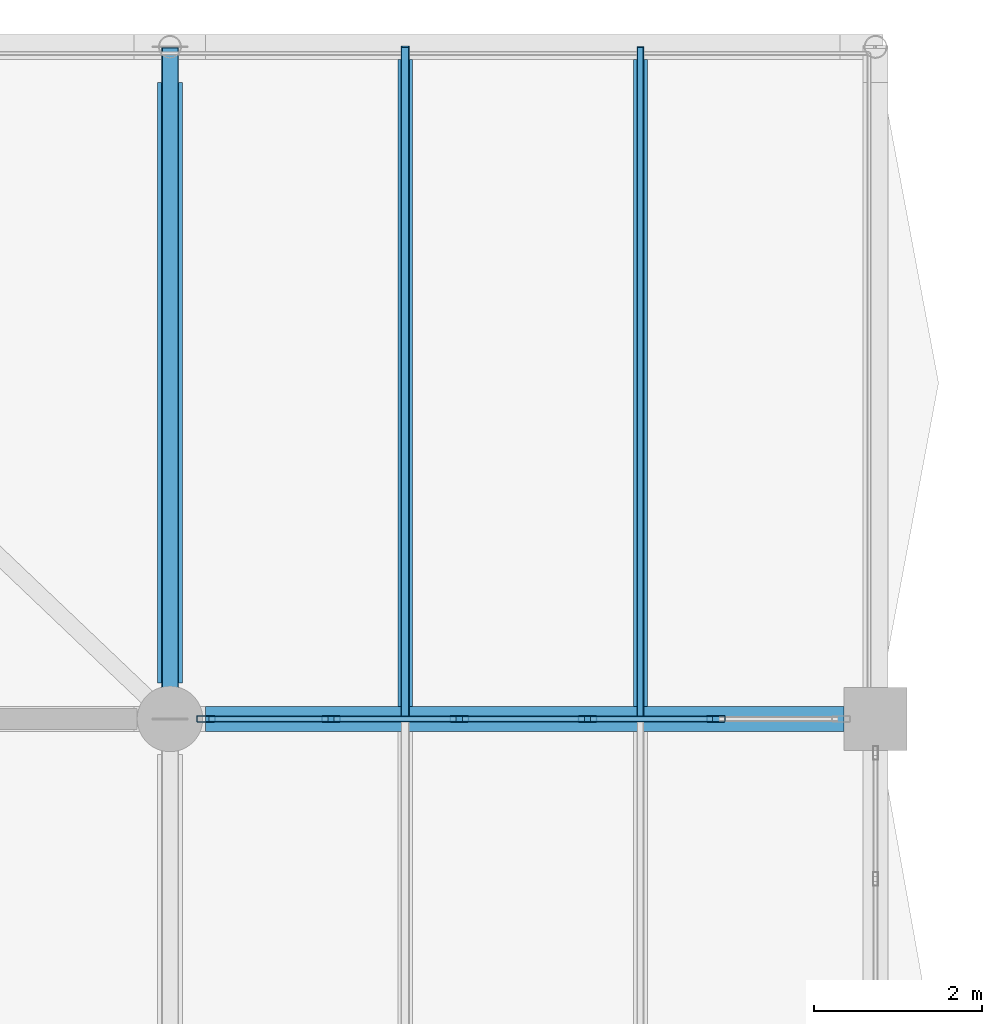
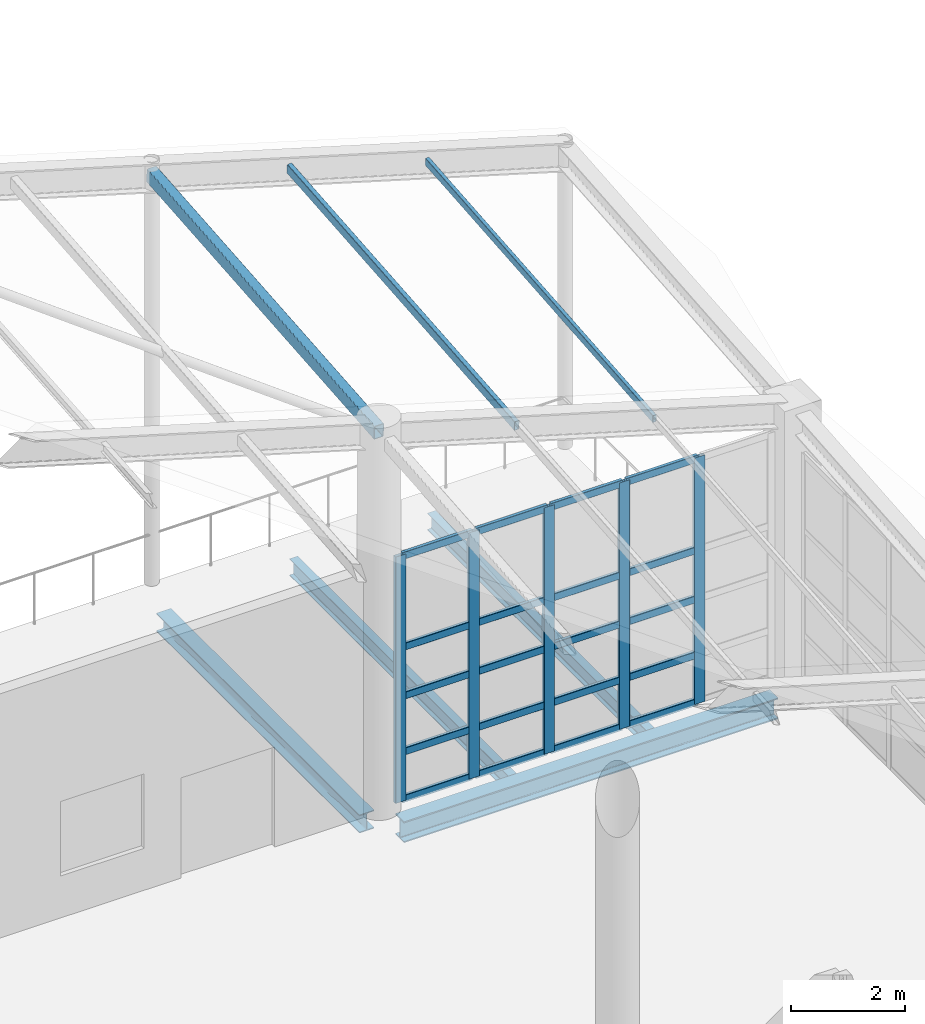
# One storey, part 47 of 95: 28 members, 4 beams, 1 element without a shape of its own.
"""IFC4 building model written with IfcOpenShell, lengths in metres."""

from ifc_helpers import new_model, si_unit, direction, frame, origin, origin_2d, place, context, subcontext, project, spatial, hollow_rectangle, i_section, extrude, material, layer, layer_set, material_profile, profile_set, type_object, element, aggregate, save


model = new_model("IFC4")

# Units and contexts
model_context = context("Model", 3, precision=1e-05, world=origin(), true_north=direction((0.0, 1.0)))
body_context = subcontext(model_context, "Body", "Model", "MODEL_VIEW")
ifc_project = project(units=[si_unit("LENGTHUNIT", "METRE"), si_unit("AREAUNIT", "SQUARE_METRE"), si_unit("VOLUMEUNIT", "CUBIC_METRE"), si_unit("PLANEANGLEUNIT", "RADIAN"), si_unit("MASSUNIT", "GRAM", prefix="KILO"), si_unit("THERMODYNAMICTEMPERATUREUNIT", "KELVIN"), si_unit("POWERUNIT", "WATT")], contexts=[model_context])

# Site, building, storey
site_placement = place(None, origin())
site = spatial("IfcSite", under=ifc_project, at=site_placement, CompositionType="ELEMENT")
building_placement = place(site_placement, origin())
building = spatial("IfcBuilding", under=site, at=building_placement, Name="Mavoryth Pier Ferry Terminal", CompositionType="ELEMENT")
storey_placement = place(building_placement, frame((0.0, 0.0, 9.60009765625)))
storey = spatial("IfcBuildingStorey", under=building, at=storey_placement, Name="L02", CompositionType="ELEMENT", Elevation=9.60009765625)

# Beams
ifc_material_1 = material(Name="Steel S355J2", Category="steel")
ifc_material_profile_1 = material_profile(ifc_material_1, i_section(OverallWidth=0.300048828125, OverallDepth=0.389892578125, WebThickness=0.010986328125, FlangeThickness=0.01904296875, FilletRadius=0.027099609375, at=origin_2d()), Name="HEA 400", Category="steel")
ifc_profile_set_1 = profile_set([ifc_material_profile_1], Name="Steel S355J2 - HEA 400")
beam_type_1 = type_object("IfcBeamType", Name="Beam-Steel-HEA400", PredefinedType="BEAM", material=ifc_profile_set_1)
beam_1_placement = place(storey_placement, frame((25.199951171875, 106.425048828125, -0.55517578125), z_axis=(0.0, 1.0, 0.0), x_axis=(-1.0, 0.0, 0.0)))
element("IfcBeam", 1, at=beam_1_placement, inside=storey, type_object=beam_type_1, Name="Beam B02-SB04-0647", PredefinedType="BEAM", context=body_context, shape_type="SweptSolid", body=[
    extrude(i_section(OverallWidth=0.300048828125, OverallDepth=0.389892578125, WebThickness=0.010986328125, FlangeThickness=0.01904296875, FilletRadius=0.027099609375, at=origin_2d()), origin(), (0.0, 0.0, 1.0), 7.14990234375),
])
ifc_material_profile_2 = material_profile(ifc_material_1, i_section(OverallWidth=0.300048828125, OverallDepth=0.449951171875, WebThickness=0.013916015625, FlangeThickness=0.02587890625, FilletRadius=0.027099609375, at=origin_2d()), Name="HEB 450", Category="steel")
ifc_profile_set_2 = profile_set([ifc_material_profile_2], Name="Steel S355J2 - HEB 450")
beam_type_2 = type_object("IfcBeamType", Name="Beam-Steel-HEB450", PredefinedType="BEAM", material=ifc_profile_set_2)
beam_2_placement = place(storey_placement, frame((25.625, 106.0, -0.585205078125), z_axis=(1.0, 0.0, 0.0), x_axis=(0.0, 1.0, 0.0)))
element("IfcBeam", 2, at=beam_2_placement, inside=storey, type_object=beam_type_2, Name="Beam B02-SB02-0623", PredefinedType="BEAM", context=body_context, shape_type="SweptSolid", body=[
    extrude(i_section(OverallWidth=0.300048828125, OverallDepth=0.449951171875, WebThickness=0.013916015625, FlangeThickness=0.02587890625, FilletRadius=0.027099609375, at=origin_2d()), origin(), (0.0, 0.0, 1.0), 7.60009765625),
])

# Member
ifc_material_profile_3 = material_profile(ifc_material_1, hollow_rectangle(XDim=0.199951171875, YDim=0.300048828125, WallThickness=0.012451171875, InnerFilletRadius=0.012451171875, OuterFilletRadius=0.02490234375, at=origin_2d()), Name="RHS 300x200x12.5", Category="steel")
ifc_profile_set_3 = profile_set([ifc_material_profile_3], Name="Steel S355J2 - RHS 300x200x12.5")
member_type_1 = type_object("IfcMemberType", Name="Chord-Edge-RHS300", PredefinedType="CHORD", material=ifc_profile_set_3)
member_1_placement = place(storey_placement, frame((25.199951171875, 106.0, 8.084716796875), z_axis=(0.0, 0.996402543032, 0.084746517561), x_axis=(-1.0, 0.0, 0.0)))
element("IfcMember", 3, at=member_1_placement, inside=storey, type_object=member_type_1, Name="Steel Member MB-L02-0179", PredefinedType="CHORD", context=body_context, shape_type="SweptSolid", body=[
    extrude(hollow_rectangle(XDim=0.199951171875, YDim=0.300048828125, WallThickness=0.012451171875, InnerFilletRadius=0.012451171875, OuterFilletRadius=0.02490234375, at=origin_2d()), origin(), (0.0, 0.0, 1.0), 8.02880859375),
])

# Beams
ifc_material_profile_4 = material_profile(ifc_material_1, i_section(OverallWidth=0.169921875, OverallDepth=0.360107421875, WebThickness=0.008056640625, FlangeThickness=0.0126953125, FilletRadius=0.01806640625, at=origin_2d()), Name="IPE 360", Category="steel")
ifc_profile_set_4 = profile_set([ifc_material_profile_4], Name="Steel S355J2 - IPE 360")
beam_type_3 = type_object("IfcBeamType", Name="Joist-Steel-IPE360", PredefinedType="JOIST", material=ifc_profile_set_4)
for number, where, z_axis, x_axis, name in (
    (4, (28.0, 106.14990234375, -0.5400390625), (0.0, 1.0, 0.0), (-1.0, 0.0, 0.0), "Beam B02-SJ02-0685"),
    (5, (30.800048828125, 106.14990234375, -0.5400390625), (0.0, 1.0, 0.0), (-1.0, 0.0, 0.0), "Beam B02-SJ02-0686"),
):
    element("IfcBeam", number, at=place(storey_placement, frame(where, z_axis=z_axis, x_axis=x_axis)), inside=storey, type_object=beam_type_3, Name=name, PredefinedType="JOIST", context=body_context, shape_type="SweptSolid", body=[
        extrude(i_section(OverallWidth=0.169921875, OverallDepth=0.360107421875, WebThickness=0.008056640625, FlangeThickness=0.0126953125, FilletRadius=0.01806640625, at=origin_2d()), origin(), (0.0, 0.0, 1.0), 7.7001953125),
    ])

# Curtain wall, members
ifc_material_2 = material(Name="Anodised Aluminium and Solar-Control Low-E Glass", Category="aluminium")
ifc_layer = layer(ifc_material_2, 0.219970703125, Name="Anodised Aluminium and Solar-Control Low-E Glass", Category="aluminium")
ifc_layer_set = layer_set([ifc_layer], Name="Anodised Aluminium and Solar-Control Low-E Glass - CW-Seaward-Tall-Mod1400")
curtain_wall_type = type_object("IfcCurtainWallType", Name="CW-Seaward-Tall-Mod1400", PredefinedType="USERDEFINED", material=ifc_layer_set)
curtain_wall_placement = place(storey_placement, origin())
curtain_wall = element("IfcCurtainWall", 6, at=curtain_wall_placement, inside=storey, type_object=curtain_wall_type, Name="Curtain Wall CW-0254-047", ObjectType="UNITISED CURTAIN WALL", PredefinedType="USERDEFINED")
ifc_material_3 = material(Name="Anodised Aluminium EN AW-6063", Category="aluminium")
ifc_material_profile_5 = material_profile(ifc_material_3, hollow_rectangle(XDim=0.074951171875, YDim=0.219970703125, WallThickness=0.0048828125, InnerFilletRadius=0.0048828125, OuterFilletRadius=0.010009765625, at=origin_2d()), Name="AL-MULL 220x75x5", Category="aluminium")
ifc_profile_set_5 = profile_set([ifc_material_profile_5], Name="Anodised Aluminium EN AW-6063 - AL-MULL 220x75x5")
member_type_2 = type_object("IfcMemberType", Name="Mullion-Alum-220x75", PredefinedType="MULLION", material=ifc_profile_set_5)
member_2_placement = place(storey_placement, frame((31.697998046875, 106.0, 0.0), z_axis=(0.0, 0.0, 1.0), x_axis=(0.0, -1.0, 0.0)))
member_2 = element("IfcMember", 7, at=member_2_placement, type_object=member_type_2, Name="CW03 mullion 2", PredefinedType="MULLION", context=body_context, shape_type="SweptSolid", body=[
    extrude(hollow_rectangle(XDim=0.074951171875, YDim=0.219970703125, WallThickness=0.0048828125, InnerFilletRadius=0.0048828125, OuterFilletRadius=0.010009765625, at=origin_2d()), origin(), (0.0, 0.0, 1.0), 5.293212890625),
])
member_3_placement = place(storey_placement, frame((30.1708984375, 106.0, 0.0), z_axis=(0.0, 0.0, 1.0), x_axis=(0.0, -1.0, 0.0)))
member_3 = element("IfcMember", 8, at=member_3_placement, type_object=member_type_2, Name="CW03 mullion 3", PredefinedType="MULLION", context=body_context, shape_type="SweptSolid", body=[
    extrude(hollow_rectangle(XDim=0.074951171875, YDim=0.219970703125, WallThickness=0.0048828125, InnerFilletRadius=0.0048828125, OuterFilletRadius=0.010009765625, at=origin_2d()), origin(), (0.0, 0.0, 1.0), 5.293212890625),
])
member_4_placement = place(storey_placement, frame((28.64404296875, 106.0, 0.0), z_axis=(0.0, 0.0, 1.0), x_axis=(0.0, -1.0, 0.0)))
member_4 = element("IfcMember", 9, at=member_4_placement, type_object=member_type_2, Name="CW03 mullion 4", PredefinedType="MULLION", context=body_context, shape_type="SweptSolid", body=[
    extrude(hollow_rectangle(XDim=0.074951171875, YDim=0.219970703125, WallThickness=0.0048828125, InnerFilletRadius=0.0048828125, OuterFilletRadius=0.010009765625, at=origin_2d()), origin(), (0.0, 0.0, 1.0), 5.293212890625),
])
member_5_placement = place(storey_placement, frame((27.116943359375, 106.0, 0.0), z_axis=(0.0, 0.0, 1.0), x_axis=(0.0, -1.0, 0.0)))
member_5 = element("IfcMember", 10, at=member_5_placement, type_object=member_type_2, Name="CW03 mullion 5", PredefinedType="MULLION", context=body_context, shape_type="SweptSolid", body=[
    extrude(hollow_rectangle(XDim=0.074951171875, YDim=0.219970703125, WallThickness=0.0048828125, InnerFilletRadius=0.0048828125, OuterFilletRadius=0.010009765625, at=origin_2d()), origin(), (0.0, 0.0, 1.0), 5.293212890625),
])
member_6_placement = place(storey_placement, frame((25.62744140625, 106.0, 0.0), z_axis=(0.0, 0.0, 1.0), x_axis=(0.0, -1.0, 0.0)))
member_6 = element("IfcMember", 11, at=member_6_placement, type_object=member_type_2, Name="CW03 mullion 6", PredefinedType="MULLION", context=body_context, shape_type="SweptSolid", body=[
    extrude(hollow_rectangle(XDim=0.074951171875, YDim=0.219970703125, WallThickness=0.0048828125, InnerFilletRadius=0.0048828125, OuterFilletRadius=0.010009765625, at=origin_2d()), origin(), (0.0, 0.0, 1.0), 5.293212890625),
])

# Members
ifc_material_profile_6 = material_profile(ifc_material_1, hollow_rectangle(XDim=0.080078125, YDim=0.159912109375, WallThickness=0.00634765625, InnerFilletRadius=0.00634765625, OuterFilletRadius=0.0126953125, at=origin_2d()), Name="RHS 160x80x6.3", Category="steel")
ifc_profile_set_6 = profile_set([ifc_material_profile_6], Name="Steel S355J2 - RHS 160x80x6.3")
member_type_3 = type_object("IfcMemberType", Name="Purlin-Tube-RHS160", PredefinedType="PURLIN", material=ifc_profile_set_6)
member_7_placement = place(storey_placement, frame((30.800048828125, 106.0, 6.3994140625), z_axis=(0.0, 0.996405110266, 0.08471632804), x_axis=(-1.0, 0.0, 0.0)))
element("IfcMember", 12, at=member_7_placement, inside=storey, type_object=member_type_3, Name="Steel Member MB-L02-0187", PredefinedType="PURLIN", context=body_context, shape_type="SweptSolid", body=[
    extrude(hollow_rectangle(XDim=0.080078125, YDim=0.159912109375, WallThickness=0.00634765625, InnerFilletRadius=0.00634765625, OuterFilletRadius=0.0126953125, at=origin_2d()), origin(), (0.0, 0.0, 1.0), 8.02880859375),
])
ifc_material_profile_7 = material_profile(ifc_material_1, hollow_rectangle(XDim=0.10009765625, YDim=0.199951171875, WallThickness=0.008056640625, InnerFilletRadius=0.008056640625, OuterFilletRadius=0.01611328125, at=origin_2d()), Name="RHS 200x100x8.0", Category="steel")
ifc_profile_set_7 = profile_set([ifc_material_profile_7], Name="Steel S355J2 - RHS 200x100x8.0")
member_type_4 = type_object("IfcMemberType", Name="Purlin-Tube-RHS200", PredefinedType="PURLIN", material=ifc_profile_set_7)
member_8_placement = place(storey_placement, frame((28.0, 106.0, 7.23193359375), z_axis=(0.0, 0.996402543032, 0.084746517561), x_axis=(-1.0, 0.0, 0.0)))
element("IfcMember", 13, at=member_8_placement, inside=storey, type_object=member_type_4, Name="Steel Member MB-L02-0186", PredefinedType="PURLIN", context=body_context, shape_type="SweptSolid", body=[
    extrude(hollow_rectangle(XDim=0.10009765625, YDim=0.199951171875, WallThickness=0.008056640625, InnerFilletRadius=0.008056640625, OuterFilletRadius=0.01611328125, at=origin_2d()), origin(), (0.0, 0.0, 1.0), 8.02880859375),
])

# Member
ifc_material_profile_8 = material_profile(ifc_material_3, hollow_rectangle(XDim=0.070068359375, YDim=0.155029296875, WallThickness=0.00390625, InnerFilletRadius=0.00390625, OuterFilletRadius=0.008056640625, at=origin_2d()), Name="AL-TRAN 155x70x4", Category="aluminium")
ifc_profile_set_8 = profile_set([ifc_material_profile_8], Name="Anodised Aluminium EN AW-6063 - AL-TRAN 155x70x4")
member_type_5 = type_object("IfcMemberType", Name="Transom-Alum-155x70", PredefinedType="USERDEFINED", material=ifc_profile_set_8)
member_9_placement = place(storey_placement, frame((31.660400390625, 106.0, 0.034912109375), z_axis=(-1.0, 0.0, 0.0), x_axis=(0.0, -1.0, 0.0)))
member_9 = element("IfcMember", 14, at=member_9_placement, type_object=member_type_5, Name="CW03 transom 2.1", ObjectType="TRANSOM", PredefinedType="USERDEFINED", context=body_context, shape_type="SweptSolid", body=[
    extrude(hollow_rectangle(XDim=0.070068359375, YDim=0.155029296875, WallThickness=0.00390625, InnerFilletRadius=0.00390625, OuterFilletRadius=0.008056640625, at=origin_2d()), origin(), (0.0, 0.0, 1.0), 1.451904296875),
])

member_10_placement = place(storey_placement, frame((31.660400390625, 106.0, 1.0498046875), z_axis=(-1.0, 0.0, 0.0), x_axis=(0.0, -1.0, 0.0)))
member_10 = element("IfcMember", 15, at=member_10_placement, type_object=member_type_5, Name="CW03 transom 2.2", ObjectType="TRANSOM", PredefinedType="USERDEFINED", context=body_context, shape_type="SweptSolid", body=[
    extrude(hollow_rectangle(XDim=0.070068359375, YDim=0.155029296875, WallThickness=0.00390625, InnerFilletRadius=0.00390625, OuterFilletRadius=0.008056640625, at=origin_2d()), origin(), (0.0, 0.0, 1.0), 1.451904296875),
])

member_11_placement = place(storey_placement, frame((31.660400390625, 106.0, 2.25), z_axis=(-1.0, 0.0, 0.0), x_axis=(0.0, -1.0, 0.0)))
member_11 = element("IfcMember", 16, at=member_11_placement, type_object=member_type_5, Name="CW03 transom 2.3", ObjectType="TRANSOM", PredefinedType="USERDEFINED", context=body_context, shape_type="SweptSolid", body=[
    extrude(hollow_rectangle(XDim=0.070068359375, YDim=0.155029296875, WallThickness=0.00390625, InnerFilletRadius=0.00390625, OuterFilletRadius=0.008056640625, at=origin_2d()), origin(), (0.0, 0.0, 1.0), 1.451904296875),
])

member_12_placement = place(storey_placement, frame((31.660400390625, 106.0, 3.2998046875), z_axis=(-1.0, 0.0, 0.0), x_axis=(0.0, -1.0, 0.0)))
member_12 = element("IfcMember", 17, at=member_12_placement, type_object=member_type_5, Name="CW03 transom 2.4", ObjectType="TRANSOM", PredefinedType="USERDEFINED", context=body_context, shape_type="SweptSolid", body=[
    extrude(hollow_rectangle(XDim=0.070068359375, YDim=0.155029296875, WallThickness=0.00390625, InnerFilletRadius=0.00390625, OuterFilletRadius=0.008056640625, at=origin_2d()), origin(), (0.0, 0.0, 1.0), 1.451904296875),
])

member_13_placement = place(storey_placement, frame((31.660400390625, 106.0, 5.25830078125), z_axis=(-1.0, 0.0, 0.0), x_axis=(0.0, -1.0, 0.0)))
member_13 = element("IfcMember", 18, at=member_13_placement, type_object=member_type_5, Name="CW03 transom 2.5", ObjectType="TRANSOM", PredefinedType="USERDEFINED", context=body_context, shape_type="SweptSolid", body=[
    extrude(hollow_rectangle(XDim=0.070068359375, YDim=0.155029296875, WallThickness=0.00390625, InnerFilletRadius=0.00390625, OuterFilletRadius=0.008056640625, at=origin_2d()), origin(), (0.0, 0.0, 1.0), 1.451904296875),
])

member_14_placement = place(storey_placement, frame((30.133544921875, 106.0, 0.034912109375), z_axis=(-1.0, 0.0, 0.0), x_axis=(0.0, -1.0, 0.0)))
member_14 = element("IfcMember", 19, at=member_14_placement, type_object=member_type_5, Name="CW03 transom 3.1", ObjectType="TRANSOM", PredefinedType="USERDEFINED", context=body_context, shape_type="SweptSolid", body=[
    extrude(hollow_rectangle(XDim=0.070068359375, YDim=0.155029296875, WallThickness=0.00390625, InnerFilletRadius=0.00390625, OuterFilletRadius=0.008056640625, at=origin_2d()), origin(), (0.0, 0.0, 1.0), 1.4521484375),
])

member_15_placement = place(storey_placement, frame((30.133544921875, 106.0, 1.0498046875), z_axis=(-1.0, 0.0, 0.0), x_axis=(0.0, -1.0, 0.0)))
member_15 = element("IfcMember", 20, at=member_15_placement, type_object=member_type_5, Name="CW03 transom 3.2", ObjectType="TRANSOM", PredefinedType="USERDEFINED", context=body_context, shape_type="SweptSolid", body=[
    extrude(hollow_rectangle(XDim=0.070068359375, YDim=0.155029296875, WallThickness=0.00390625, InnerFilletRadius=0.00390625, OuterFilletRadius=0.008056640625, at=origin_2d()), origin(), (0.0, 0.0, 1.0), 1.4521484375),
])

member_16_placement = place(storey_placement, frame((30.133544921875, 106.0, 2.25), z_axis=(-1.0, 0.0, 0.0), x_axis=(0.0, -1.0, 0.0)))
member_16 = element("IfcMember", 21, at=member_16_placement, type_object=member_type_5, Name="CW03 transom 3.3", ObjectType="TRANSOM", PredefinedType="USERDEFINED", context=body_context, shape_type="SweptSolid", body=[
    extrude(hollow_rectangle(XDim=0.070068359375, YDim=0.155029296875, WallThickness=0.00390625, InnerFilletRadius=0.00390625, OuterFilletRadius=0.008056640625, at=origin_2d()), origin(), (0.0, 0.0, 1.0), 1.4521484375),
])

member_17_placement = place(storey_placement, frame((30.133544921875, 106.0, 3.2998046875), z_axis=(-1.0, 0.0, 0.0), x_axis=(0.0, -1.0, 0.0)))
member_17 = element("IfcMember", 22, at=member_17_placement, type_object=member_type_5, Name="CW03 transom 3.4", ObjectType="TRANSOM", PredefinedType="USERDEFINED", context=body_context, shape_type="SweptSolid", body=[
    extrude(hollow_rectangle(XDim=0.070068359375, YDim=0.155029296875, WallThickness=0.00390625, InnerFilletRadius=0.00390625, OuterFilletRadius=0.008056640625, at=origin_2d()), origin(), (0.0, 0.0, 1.0), 1.4521484375),
])

member_18_placement = place(storey_placement, frame((30.133544921875, 106.0, 5.25830078125), z_axis=(-1.0, 0.0, 0.0), x_axis=(0.0, -1.0, 0.0)))
member_18 = element("IfcMember", 23, at=member_18_placement, type_object=member_type_5, Name="CW03 transom 3.5", ObjectType="TRANSOM", PredefinedType="USERDEFINED", context=body_context, shape_type="SweptSolid", body=[
    extrude(hollow_rectangle(XDim=0.070068359375, YDim=0.155029296875, WallThickness=0.00390625, InnerFilletRadius=0.00390625, OuterFilletRadius=0.008056640625, at=origin_2d()), origin(), (0.0, 0.0, 1.0), 1.4521484375),
])

member_19_placement = place(storey_placement, frame((28.6064453125, 106.0, 0.034912109375), z_axis=(-1.0, 0.0, 0.0), x_axis=(0.0, -1.0, 0.0)))
member_19 = element("IfcMember", 24, at=member_19_placement, type_object=member_type_5, Name="CW03 transom 4.1", ObjectType="TRANSOM", PredefinedType="USERDEFINED", context=body_context, shape_type="SweptSolid", body=[
    extrude(hollow_rectangle(XDim=0.070068359375, YDim=0.155029296875, WallThickness=0.00390625, InnerFilletRadius=0.00390625, OuterFilletRadius=0.008056640625, at=origin_2d()), origin(), (0.0, 0.0, 1.0), 1.451904296875),
])

member_20_placement = place(storey_placement, frame((28.6064453125, 106.0, 1.0498046875), z_axis=(-1.0, 0.0, 0.0), x_axis=(0.0, -1.0, 0.0)))
member_20 = element("IfcMember", 25, at=member_20_placement, type_object=member_type_5, Name="CW03 transom 4.2", ObjectType="TRANSOM", PredefinedType="USERDEFINED", context=body_context, shape_type="SweptSolid", body=[
    extrude(hollow_rectangle(XDim=0.070068359375, YDim=0.155029296875, WallThickness=0.00390625, InnerFilletRadius=0.00390625, OuterFilletRadius=0.008056640625, at=origin_2d()), origin(), (0.0, 0.0, 1.0), 1.451904296875),
])

member_21_placement = place(storey_placement, frame((28.6064453125, 106.0, 2.25), z_axis=(-1.0, 0.0, 0.0), x_axis=(0.0, -1.0, 0.0)))
member_21 = element("IfcMember", 26, at=member_21_placement, type_object=member_type_5, Name="CW03 transom 4.3", ObjectType="TRANSOM", PredefinedType="USERDEFINED", context=body_context, shape_type="SweptSolid", body=[
    extrude(hollow_rectangle(XDim=0.070068359375, YDim=0.155029296875, WallThickness=0.00390625, InnerFilletRadius=0.00390625, OuterFilletRadius=0.008056640625, at=origin_2d()), origin(), (0.0, 0.0, 1.0), 1.451904296875),
])

member_22_placement = place(storey_placement, frame((28.6064453125, 106.0, 3.2998046875), z_axis=(-1.0, 0.0, 0.0), x_axis=(0.0, -1.0, 0.0)))
member_22 = element("IfcMember", 27, at=member_22_placement, type_object=member_type_5, Name="CW03 transom 4.4", ObjectType="TRANSOM", PredefinedType="USERDEFINED", context=body_context, shape_type="SweptSolid", body=[
    extrude(hollow_rectangle(XDim=0.070068359375, YDim=0.155029296875, WallThickness=0.00390625, InnerFilletRadius=0.00390625, OuterFilletRadius=0.008056640625, at=origin_2d()), origin(), (0.0, 0.0, 1.0), 1.451904296875),
])

member_23_placement = place(storey_placement, frame((28.6064453125, 106.0, 5.25830078125), z_axis=(-1.0, 0.0, 0.0), x_axis=(0.0, -1.0, 0.0)))
member_23 = element("IfcMember", 28, at=member_23_placement, type_object=member_type_5, Name="CW03 transom 4.5", ObjectType="TRANSOM", PredefinedType="USERDEFINED", context=body_context, shape_type="SweptSolid", body=[
    extrude(hollow_rectangle(XDim=0.070068359375, YDim=0.155029296875, WallThickness=0.00390625, InnerFilletRadius=0.00390625, OuterFilletRadius=0.008056640625, at=origin_2d()), origin(), (0.0, 0.0, 1.0), 1.451904296875),
])

member_24_placement = place(storey_placement, frame((27.07958984375, 106.0, 0.034912109375), z_axis=(-1.0, 0.0, 0.0), x_axis=(0.0, -1.0, 0.0)))
member_24 = element("IfcMember", 29, at=member_24_placement, type_object=member_type_5, Name="CW03 transom 5.1", ObjectType="TRANSOM", PredefinedType="USERDEFINED", context=body_context, shape_type="SweptSolid", body=[
    extrude(hollow_rectangle(XDim=0.070068359375, YDim=0.155029296875, WallThickness=0.00390625, InnerFilletRadius=0.00390625, OuterFilletRadius=0.008056640625, at=origin_2d()), origin(), (0.0, 0.0, 1.0), 1.41455078125),
])

member_25_placement = place(storey_placement, frame((27.07958984375, 106.0, 1.0498046875), z_axis=(-1.0, 0.0, 0.0), x_axis=(0.0, -1.0, 0.0)))
member_25 = element("IfcMember", 30, at=member_25_placement, type_object=member_type_5, Name="CW03 transom 5.2", ObjectType="TRANSOM", PredefinedType="USERDEFINED", context=body_context, shape_type="SweptSolid", body=[
    extrude(hollow_rectangle(XDim=0.070068359375, YDim=0.155029296875, WallThickness=0.00390625, InnerFilletRadius=0.00390625, OuterFilletRadius=0.008056640625, at=origin_2d()), origin(), (0.0, 0.0, 1.0), 1.41455078125),
])

member_26_placement = place(storey_placement, frame((27.07958984375, 106.0, 2.25), z_axis=(-1.0, 0.0, 0.0), x_axis=(0.0, -1.0, 0.0)))
member_26 = element("IfcMember", 31, at=member_26_placement, type_object=member_type_5, Name="CW03 transom 5.3", ObjectType="TRANSOM", PredefinedType="USERDEFINED", context=body_context, shape_type="SweptSolid", body=[
    extrude(hollow_rectangle(XDim=0.070068359375, YDim=0.155029296875, WallThickness=0.00390625, InnerFilletRadius=0.00390625, OuterFilletRadius=0.008056640625, at=origin_2d()), origin(), (0.0, 0.0, 1.0), 1.41455078125),
])

member_27_placement = place(storey_placement, frame((27.07958984375, 106.0, 3.2998046875), z_axis=(-1.0, 0.0, 0.0), x_axis=(0.0, -1.0, 0.0)))
member_27 = element("IfcMember", 32, at=member_27_placement, type_object=member_type_5, Name="CW03 transom 5.4", ObjectType="TRANSOM", PredefinedType="USERDEFINED", context=body_context, shape_type="SweptSolid", body=[
    extrude(hollow_rectangle(XDim=0.070068359375, YDim=0.155029296875, WallThickness=0.00390625, InnerFilletRadius=0.00390625, OuterFilletRadius=0.008056640625, at=origin_2d()), origin(), (0.0, 0.0, 1.0), 1.41455078125),
])

member_28_placement = place(storey_placement, frame((27.07958984375, 106.0, 5.25830078125), z_axis=(-1.0, 0.0, 0.0), x_axis=(0.0, -1.0, 0.0)))
member_28 = element("IfcMember", 33, at=member_28_placement, type_object=member_type_5, Name="CW03 transom 5.5", ObjectType="TRANSOM", PredefinedType="USERDEFINED", context=body_context, shape_type="SweptSolid", body=[
    extrude(hollow_rectangle(XDim=0.070068359375, YDim=0.155029296875, WallThickness=0.00390625, InnerFilletRadius=0.00390625, OuterFilletRadius=0.008056640625, at=origin_2d()), origin(), (0.0, 0.0, 1.0), 1.41455078125),
])

aggregate(curtain_wall, [member_2, member_3, member_4, member_5, member_6, member_9, member_10, member_11, member_12, member_13, member_14, member_15, member_16, member_17, member_18, member_19, member_20, member_21, member_22, member_23, member_24, member_25, member_26, member_27, member_28])

save(model, "model.ifc")
